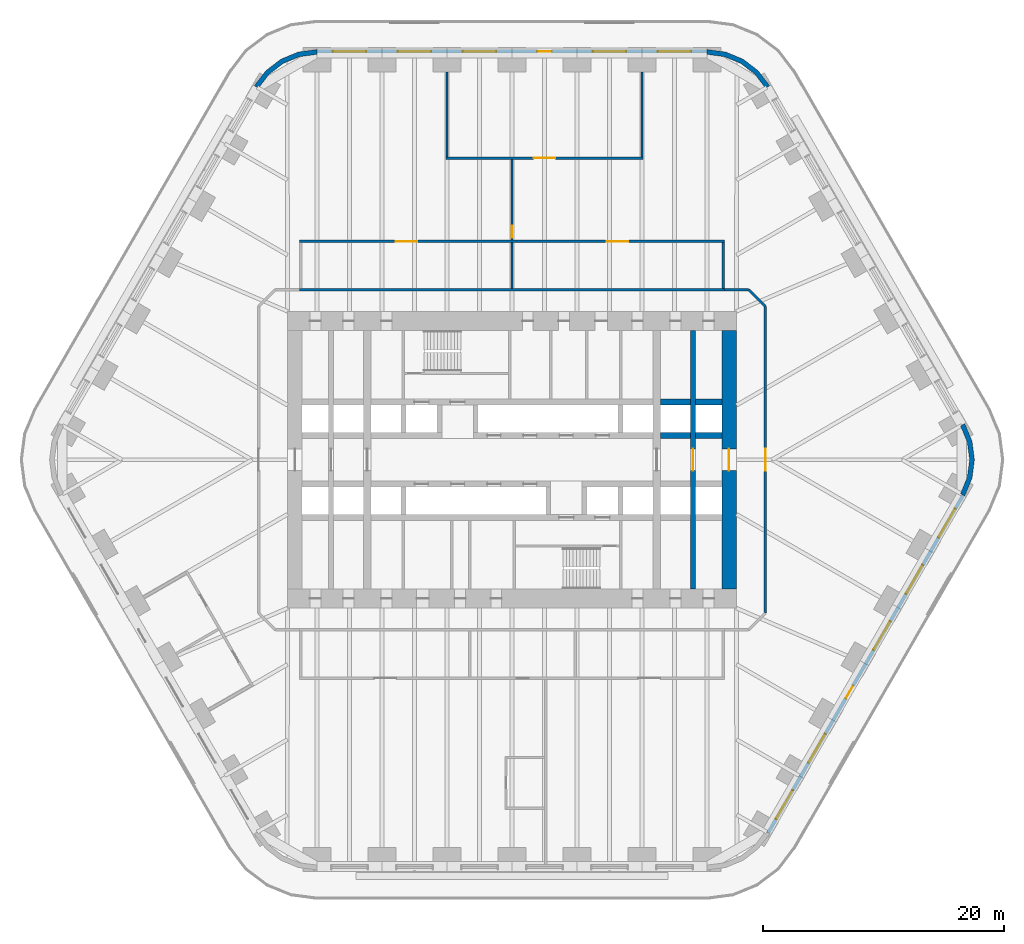
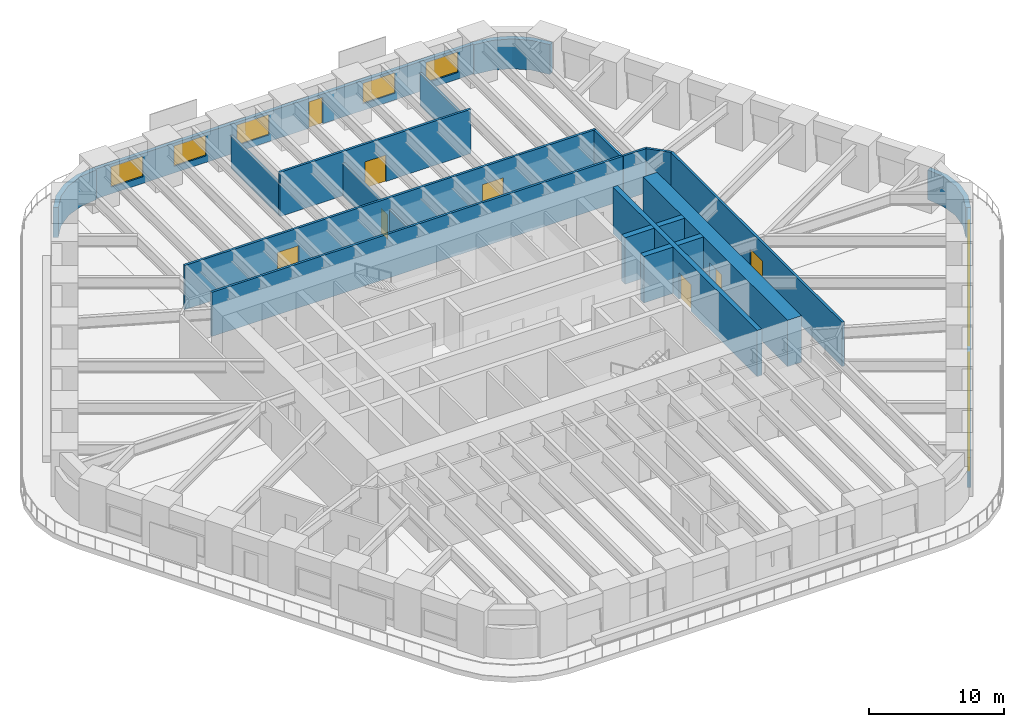
# One storey, part 19 of 23: 22 walls, 10 windows, 9 doors, 19 openings.
"""IFC4 building model written with IfcOpenShell, lengths in metres."""

from ifc_helpers import new_model, si_unit, direction, frame, frame_2d, origin, place, context, subcontext, project, spatial, polyline, rectangle, outline, extrude, material, layer, layer_set, type_object, element, fill, save


model = new_model("IFC4")

# Units and contexts
model_context = context("Model", 3, precision=1e-05, world=origin(), true_north=direction((0.0, 1.0)))
body_context = subcontext(model_context, "Body", "Model", "MODEL_VIEW")
ifc_project = project(units=[si_unit("LENGTHUNIT", "METRE"), si_unit("AREAUNIT", "SQUARE_METRE"), si_unit("VOLUMEUNIT", "CUBIC_METRE"), si_unit("PLANEANGLEUNIT", "RADIAN"), si_unit("MASSUNIT", "GRAM", prefix="KILO")], contexts=[model_context])

# Site, building, storey
site_placement = place(None, origin())
site = spatial("IfcSite", under=ifc_project, at=site_placement, CompositionType="ELEMENT")
building_placement = place(site_placement, origin())
building = spatial("IfcBuilding", under=site, at=building_placement, Name="Tarfa Lantern Tower", CompositionType="ELEMENT")
storey_placement = place(building_placement, frame((0.0, 0.0, 27.699951171875)))
storey = spatial("IfcBuildingStorey", under=building, at=storey_placement, Name="L05", CompositionType="ELEMENT", Elevation=27.699951171875)

# Wall, openings, door, windows
ifc_material_1 = material(Name="Limestone cladding on blockwork", Category="masonry")
ifc_layer_1 = layer(ifc_material_1, 0.300048828125)
ifc_layer_set_1 = layer_set([ifc_layer_1], Name="EW1 STONE-CLAD WALL 300")
wall_type_1 = type_object("IfcWallType", Name="EW1 STONE-CLAD WALL 300", PredefinedType="SOLIDWALL", material=ifc_layer_set_1)
wall_1_placement = place(storey_placement, frame((16.165771484375, 33.85009765625, 0.0), z_axis=(0.0, 0.0, 1.0), x_axis=(-1.0, 0.0, 0.0)))
wall_1 = element("IfcWall", 1, at=wall_1_placement, inside=storey, type_object=wall_type_1, Name="Stone wall N", PredefinedType="SOLIDWALL", context=body_context, shape_type="SweptSolid", body=[
    extrude(rectangle(XDim=32.33154296875, YDim=0.300048828125, at=frame_2d((16.165771484375, 0.0))), origin(), (0.0, 0.0, 1.0), 2.699951171875),
])
opening_1_placement = place(wall_1_placement, frame((1.3193359375, 0.0, 0.60009765625)))
opening_1 = element("IfcOpeningElement", 2, at=opening_1_placement, cuts=wall_1, Name="Opening W2", PredefinedType="OPENING", context=body_context, shape_type="SweptSolid", body=[
    extrude(rectangle(XDim=2.75, YDim=1.85009765625, at=frame_2d((1.375, 0.925048828125))), frame((0.0, 0.159912109375, 0.0), z_axis=(0.0, -1.0, 0.0), x_axis=(1.0, 0.0, 0.0)), (0.0, 0.0, 1.0), 0.320068359375),
])
opening_2_placement = place(wall_1_placement, frame((6.7080078125, 0.0, 0.60009765625)))
opening_2 = element("IfcOpeningElement", 3, at=opening_2_placement, cuts=wall_1, Name="Opening W2", PredefinedType="OPENING", context=body_context, shape_type="SweptSolid", body=[
    extrude(rectangle(XDim=2.75, YDim=1.85009765625, at=frame_2d((1.375, 0.925048828125))), frame((0.0, 0.159912109375, 0.0), z_axis=(0.0, -1.0, 0.0), x_axis=(1.0, 0.0, 0.0)), (0.0, 0.0, 1.0), 0.320068359375),
])
opening_3_placement = place(wall_1_placement, frame((12.87158203125, 0.0, 0.0)))
opening_3 = element("IfcOpeningElement", 4, at=opening_3_placement, cuts=wall_1, Name="Opening D41", PredefinedType="OPENING", context=body_context, shape_type="SweptSolid", body=[
    extrude(rectangle(XDim=1.199951171875, YDim=2.39990234375, at=frame_2d((0.60009765625, 1.199951171875))), frame((0.0, 0.159912109375, 0.0), z_axis=(0.0, -1.0, 0.0), x_axis=(1.0, 0.0, 0.0)), (0.0, 0.0, 1.0), 0.320068359375),
])
opening_4_placement = place(wall_1_placement, frame((17.485107421875, 0.0, 0.60009765625)))
opening_4 = element("IfcOpeningElement", 5, at=opening_4_placement, cuts=wall_1, Name="Opening W2", PredefinedType="OPENING", context=body_context, shape_type="SweptSolid", body=[
    extrude(rectangle(XDim=2.75, YDim=1.85009765625, at=frame_2d((1.375, 0.925048828125))), frame((0.0, 0.159912109375, 0.0), z_axis=(0.0, -1.0, 0.0), x_axis=(1.0, 0.0, 0.0)), (0.0, 0.0, 1.0), 0.320068359375),
])
opening_5_placement = place(wall_1_placement, frame((22.873779296875, 0.0, 0.60009765625)))
opening_5 = element("IfcOpeningElement", 6, at=opening_5_placement, cuts=wall_1, Name="Opening W2", PredefinedType="OPENING", context=body_context, shape_type="SweptSolid", body=[
    extrude(rectangle(XDim=2.75, YDim=1.85009765625, at=frame_2d((1.375, 0.925048828125))), frame((0.0, 0.159912109375, 0.0), z_axis=(0.0, -1.0, 0.0), x_axis=(1.0, 0.0, 0.0)), (0.0, 0.0, 1.0), 0.320068359375),
])
opening_6_placement = place(wall_1_placement, frame((28.26220703125, 0.0, 0.60009765625)))
opening_6 = element("IfcOpeningElement", 7, at=opening_6_placement, cuts=wall_1, Name="Opening W2", PredefinedType="OPENING", context=body_context, shape_type="SweptSolid", body=[
    extrude(rectangle(XDim=2.75, YDim=1.85009765625, at=frame_2d((1.375, 0.925048828125))), frame((0.0, 0.159912109375, 0.0), z_axis=(0.0, -1.0, 0.0), x_axis=(1.0, 0.0, 0.0)), (0.0, 0.0, 1.0), 0.320068359375),
])
ifc_material_2 = material(Name="Aluminium framed glazed door", Category="aluminium")
door_type_1 = type_object("IfcDoorType", Name="BE3 BALCONY DOOR 1200x2400", OperationType="SINGLE_SWING_RIGHT", PredefinedType="DOOR", material=ifc_material_2)
door_1_placement = place(opening_3_placement, origin())
door_1 = element("IfcDoor", 8, at=door_1_placement, inside=storey, type_object=door_type_1, Name="Balcony door N", OperationType="SINGLE_SWING_RIGHT", OverallHeight=2.39990234375, OverallWidth=1.199951171875, PredefinedType="DOOR", context=body_context, shape_type="SweptSolid", body=[
    extrude(rectangle(XDim=1.199951171875, YDim=2.39990234375, at=frame_2d((0.60009765625, 1.199951171875))), frame((0.0, 0.02490234375, 0.0), z_axis=(0.0, -1.0, 0.0), x_axis=(1.0, 0.0, 0.0)), (0.0, 0.0, 1.0), 0.050048828125),
])
fill(opening_3, door_1)
ifc_material_3 = material(Name="Aluminium frame, double glazed", Category="aluminium")
window_type = type_object("IfcWindowType", Name="W2 FULL-HEIGHT GLAZING 2750x1850", PartitioningType="SINGLE_PANEL", PredefinedType="WINDOW", material=ifc_material_3)
window_1_placement = place(opening_1_placement, origin())
window_1 = element("IfcWindow", 9, at=window_1_placement, inside=storey, type_object=window_type, Name="Window N 1", OverallHeight=1.85009765625, OverallWidth=2.75, PartitioningType="SINGLE_PANEL", PredefinedType="WINDOW", context=body_context, shape_type="SweptSolid", body=[
    extrude(rectangle(XDim=2.75, YDim=1.85009765625, at=frame_2d((1.375, 0.925048828125))), frame((0.0, 0.030029296875, 0.0), z_axis=(0.0, -1.0, 0.0), x_axis=(1.0, 0.0, 0.0)), (0.0, 0.0, 1.0), 0.06005859375),
])
fill(opening_1, window_1)
window_2_placement = place(opening_2_placement, origin())
window_2 = element("IfcWindow", 10, at=window_2_placement, inside=storey, type_object=window_type, Name="Window N 2", OverallHeight=1.85009765625, OverallWidth=2.75, PartitioningType="SINGLE_PANEL", PredefinedType="WINDOW", context=body_context, shape_type="SweptSolid", body=[
    extrude(rectangle(XDim=2.75, YDim=1.85009765625, at=frame_2d((1.375, 0.925048828125))), frame((0.0, 0.030029296875, 0.0), z_axis=(0.0, -1.0, 0.0), x_axis=(1.0, 0.0, 0.0)), (0.0, 0.0, 1.0), 0.06005859375),
])
fill(opening_2, window_2)
window_3_placement = place(opening_4_placement, origin())
window_3 = element("IfcWindow", 11, at=window_3_placement, inside=storey, type_object=window_type, Name="Window N 4", OverallHeight=1.85009765625, OverallWidth=2.75, PartitioningType="SINGLE_PANEL", PredefinedType="WINDOW", context=body_context, shape_type="SweptSolid", body=[
    extrude(rectangle(XDim=2.75, YDim=1.85009765625, at=frame_2d((1.375, 0.925048828125))), frame((0.0, 0.030029296875, 0.0), z_axis=(0.0, -1.0, 0.0), x_axis=(1.0, 0.0, 0.0)), (0.0, 0.0, 1.0), 0.06005859375),
])
fill(opening_4, window_3)
window_4_placement = place(opening_5_placement, origin())
window_4 = element("IfcWindow", 12, at=window_4_placement, inside=storey, type_object=window_type, Name="Window N 5", OverallHeight=1.85009765625, OverallWidth=2.75, PartitioningType="SINGLE_PANEL", PredefinedType="WINDOW", context=body_context, shape_type="SweptSolid", body=[
    extrude(rectangle(XDim=2.75, YDim=1.85009765625, at=frame_2d((1.375, 0.925048828125))), frame((0.0, 0.030029296875, 0.0), z_axis=(0.0, -1.0, 0.0), x_axis=(1.0, 0.0, 0.0)), (0.0, 0.0, 1.0), 0.06005859375),
])
fill(opening_5, window_4)
window_5_placement = place(opening_6_placement, origin())
window_5 = element("IfcWindow", 13, at=window_5_placement, inside=storey, type_object=window_type, Name="Window N 6", OverallHeight=1.85009765625, OverallWidth=2.75, PartitioningType="SINGLE_PANEL", PredefinedType="WINDOW", context=body_context, shape_type="SweptSolid", body=[
    extrude(rectangle(XDim=2.75, YDim=1.85009765625, at=frame_2d((1.375, 0.925048828125))), frame((0.0, 0.030029296875, 0.0), z_axis=(0.0, -1.0, 0.0), x_axis=(1.0, 0.0, 0.0)), (0.0, 0.0, 1.0), 0.06005859375),
])
fill(opening_6, window_5)

wall_2_placement = place(storey_placement, frame((21.232177734375, -30.925048828125, 0.0), z_axis=(0.0, 0.0, 1.0), x_axis=(0.499999163675, 0.866025886636, 0.0)))
wall_2 = element("IfcWall", 14, at=wall_2_placement, inside=storey, type_object=wall_type_1, Name="Stone wall SE", PredefinedType="SOLIDWALL", context=body_context, shape_type="SweptSolid", body=[
    extrude(rectangle(XDim=32.33154296875, YDim=0.300048828125, at=frame_2d((16.165771484375, 0.0))), origin(), (0.0, 0.0, 1.0), 2.699951171875),
])
opening_7_placement = place(wall_2_placement, frame((1.3193359375, 0.0, 0.60009765625)))
opening_7 = element("IfcOpeningElement", 15, at=opening_7_placement, cuts=wall_2, Name="Opening W2", PredefinedType="OPENING", context=body_context, shape_type="SweptSolid", body=[
    extrude(rectangle(XDim=2.75, YDim=1.85009765625, at=frame_2d((1.375, 0.925048828125))), frame((0.0, 0.159912109375, 0.0), z_axis=(0.0, -1.0, 0.0), x_axis=(1.0, 0.0, 0.0)), (0.0, 0.0, 1.0), 0.320068359375),
])
opening_8_placement = place(wall_2_placement, frame((6.7080078125, 0.0, 0.60009765625)))
opening_8 = element("IfcOpeningElement", 16, at=opening_8_placement, cuts=wall_2, Name="Opening W2", PredefinedType="OPENING", context=body_context, shape_type="SweptSolid", body=[
    extrude(rectangle(XDim=2.75, YDim=1.85009765625, at=frame_2d((1.375, 0.925048828125))), frame((0.0, 0.159912109375, 0.0), z_axis=(0.0, -1.0, 0.0), x_axis=(1.0, 0.0, 0.0)), (0.0, 0.0, 1.0), 0.320068359375),
])
opening_9_placement = place(wall_2_placement, frame((12.87158203125, 0.0, 0.0)))
opening_9 = element("IfcOpeningElement", 17, at=opening_9_placement, cuts=wall_2, Name="Opening D42", PredefinedType="OPENING", context=body_context, shape_type="SweptSolid", body=[
    extrude(rectangle(XDim=1.199951171875, YDim=2.39990234375, at=frame_2d((0.60009765625, 1.199951171875))), frame((0.0, 0.159912109375, 0.0), z_axis=(0.0, -1.0, 0.0), x_axis=(1.0, 0.0, 0.0)), (0.0, 0.0, 1.0), 0.320068359375),
])
opening_10_placement = place(wall_2_placement, frame((17.485107421875, 0.0, 0.60009765625)))
opening_10 = element("IfcOpeningElement", 18, at=opening_10_placement, cuts=wall_2, Name="Opening W2", PredefinedType="OPENING", context=body_context, shape_type="SweptSolid", body=[
    extrude(rectangle(XDim=2.75, YDim=1.85009765625, at=frame_2d((1.375, 0.925048828125))), frame((0.0, 0.159912109375, 0.0), z_axis=(0.0, -1.0, 0.0), x_axis=(1.0, 0.0, 0.0)), (0.0, 0.0, 1.0), 0.320068359375),
])
opening_11_placement = place(wall_2_placement, frame((22.873779296875, 0.0, 0.60009765625)))
opening_11 = element("IfcOpeningElement", 19, at=opening_11_placement, cuts=wall_2, Name="Opening W2", PredefinedType="OPENING", context=body_context, shape_type="SweptSolid", body=[
    extrude(rectangle(XDim=2.75, YDim=1.85009765625, at=frame_2d((1.375, 0.925048828125))), frame((0.0, 0.159912109375, 0.0), z_axis=(0.0, -1.0, 0.0), x_axis=(1.0, 0.0, 0.0)), (0.0, 0.0, 1.0), 0.320068359375),
])
opening_12_placement = place(wall_2_placement, frame((28.26220703125, 0.0, 0.60009765625)))
opening_12 = element("IfcOpeningElement", 20, at=opening_12_placement, cuts=wall_2, Name="Opening W2", PredefinedType="OPENING", context=body_context, shape_type="SweptSolid", body=[
    extrude(rectangle(XDim=2.75, YDim=1.85009765625, at=frame_2d((1.375, 0.925048828125))), frame((0.0, 0.159912109375, 0.0), z_axis=(0.0, -1.0, 0.0), x_axis=(1.0, 0.0, 0.0)), (0.0, 0.0, 1.0), 0.320068359375),
])
door_2_placement = place(opening_9_placement, origin())
door_2 = element("IfcDoor", 21, at=door_2_placement, inside=storey, type_object=door_type_1, Name="Balcony door SE", OperationType="SINGLE_SWING_RIGHT", OverallHeight=2.39990234375, OverallWidth=1.199951171875, PredefinedType="DOOR", context=body_context, shape_type="SweptSolid", body=[
    extrude(rectangle(XDim=1.199951171875, YDim=2.39990234375, at=frame_2d((0.60009765625, 1.199951171875))), frame((0.0, 0.02490234375, 0.0), z_axis=(0.0, -1.0, 0.0), x_axis=(1.0, 0.0, 0.0)), (0.0, 0.0, 1.0), 0.050048828125),
])
fill(opening_9, door_2)
window_6_placement = place(opening_7_placement, origin())
window_6 = element("IfcWindow", 22, at=window_6_placement, inside=storey, type_object=window_type, Name="Window SE 1", OverallHeight=1.85009765625, OverallWidth=2.75, PartitioningType="SINGLE_PANEL", PredefinedType="WINDOW", context=body_context, shape_type="SweptSolid", body=[
    extrude(rectangle(XDim=2.75, YDim=1.85009765625, at=frame_2d((1.375, 0.925048828125))), frame((0.0, 0.030029296875, 0.0), z_axis=(0.0, -1.0, 0.0), x_axis=(1.0, 0.0, 0.0)), (0.0, 0.0, 1.0), 0.06005859375),
])
fill(opening_7, window_6)
window_7_placement = place(opening_8_placement, origin())
window_7 = element("IfcWindow", 23, at=window_7_placement, inside=storey, type_object=window_type, Name="Window SE 2", OverallHeight=1.85009765625, OverallWidth=2.75, PartitioningType="SINGLE_PANEL", PredefinedType="WINDOW", context=body_context, shape_type="SweptSolid", body=[
    extrude(rectangle(XDim=2.75, YDim=1.85009765625, at=frame_2d((1.375, 0.925048828125))), frame((0.0, 0.030029296875, 0.0), z_axis=(0.0, -1.0, 0.0), x_axis=(1.0, 0.0, 0.0)), (0.0, 0.0, 1.0), 0.06005859375),
])
fill(opening_8, window_7)
window_8_placement = place(opening_10_placement, origin())
window_8 = element("IfcWindow", 24, at=window_8_placement, inside=storey, type_object=window_type, Name="Window SE 4", OverallHeight=1.85009765625, OverallWidth=2.75, PartitioningType="SINGLE_PANEL", PredefinedType="WINDOW", context=body_context, shape_type="SweptSolid", body=[
    extrude(rectangle(XDim=2.75, YDim=1.85009765625, at=frame_2d((1.375, 0.925048828125))), frame((0.0, 0.030029296875, 0.0), z_axis=(0.0, -1.0, 0.0), x_axis=(1.0, 0.0, 0.0)), (0.0, 0.0, 1.0), 0.06005859375),
])
fill(opening_10, window_8)
window_9_placement = place(opening_11_placement, origin())
window_9 = element("IfcWindow", 25, at=window_9_placement, inside=storey, type_object=window_type, Name="Window SE 5", OverallHeight=1.85009765625, OverallWidth=2.75, PartitioningType="SINGLE_PANEL", PredefinedType="WINDOW", context=body_context, shape_type="SweptSolid", body=[
    extrude(rectangle(XDim=2.75, YDim=1.85009765625, at=frame_2d((1.375, 0.925048828125))), frame((0.0, 0.030029296875, 0.0), z_axis=(0.0, -1.0, 0.0), x_axis=(1.0, 0.0, 0.0)), (0.0, 0.0, 1.0), 0.06005859375),
])
fill(opening_11, window_9)
window_10_placement = place(opening_12_placement, origin())
window_10 = element("IfcWindow", 26, at=window_10_placement, inside=storey, type_object=window_type, Name="Window SE 6", OverallHeight=1.85009765625, OverallWidth=2.75, PartitioningType="SINGLE_PANEL", PredefinedType="WINDOW", context=body_context, shape_type="SweptSolid", body=[
    extrude(rectangle(XDim=2.75, YDim=1.85009765625, at=frame_2d((1.375, 0.925048828125))), frame((0.0, 0.030029296875, 0.0), z_axis=(0.0, -1.0, 0.0), x_axis=(1.0, 0.0, 0.0)), (0.0, 0.0, 1.0), 0.06005859375),
])
fill(opening_12, window_10)

# Walls
ifc_layer_2 = layer(ifc_material_1, 0.39990234375)
ifc_layer_set_2 = layer_set([ifc_layer_2], Name="EW2 CURVED STONE CORNER 400")
wall_type_2 = type_object("IfcWallType", Name="EW2 CURVED STONE CORNER 400", PredefinedType="SOLIDWALL", material=ifc_layer_set_2)
wall_3_placement = place(storey_placement, origin())
element("IfcWall", 27, at=wall_3_placement, inside=storey, type_object=wall_type_2, Name="Stone corner NE-N", PredefinedType="SOLIDWALL", context=body_context, shape_type="SweptSolid", body=[
    extrude(outline(polyline([(21.362060546875, 31.0), (20.408447265625, 32.24267578125), (19.165771484375, 33.196044921875), (17.71875, 33.795654296875), (16.165771484375, 34.0), (16.165771484375, 33.60009765625), (17.615234375, 33.4091796875), (18.9658203125, 32.849853515625), (20.12548828125, 31.959716796875), (21.015625, 30.800048828125), (21.362060546875, 31.0)])), origin(), (0.0, 0.0, 1.0), 2.699951171875),
])
wall_4_placement = place(storey_placement, origin())
element("IfcWall", 28, at=wall_4_placement, inside=storey, type_object=wall_type_2, Name="Stone corner N-NW", PredefinedType="SOLIDWALL", context=body_context, shape_type="SweptSolid", body=[
    extrude(outline(polyline([(-16.165771484375, 34.0), (-17.71875, 33.795654296875), (-19.165771484375, 33.196044921875), (-20.408447265625, 32.24267578125), (-21.362060546875, 31.0), (-21.015625, 30.800048828125), (-20.12548828125, 31.959716796875), (-18.9658203125, 32.849853515625), (-17.615234375, 33.4091796875), (-16.165771484375, 33.60009765625), (-16.165771484375, 34.0)])), origin(), (0.0, 0.0, 1.0), 2.699951171875),
])
wall_5_placement = place(storey_placement, origin())
element("IfcWall", 29, at=wall_5_placement, inside=storey, type_object=wall_type_2, Name="Stone corner SE-NE", PredefinedType="SOLIDWALL", context=body_context, shape_type="SweptSolid", body=[
    extrude(outline(polyline([(37.52783203125, -3.0), (38.127197265625, -1.552978515625), (38.33154296875, 0.0), (38.127197265625, 1.552978515625), (37.52783203125, 3.0), (37.181396484375, 2.800048828125), (37.74072265625, 1.449462890625), (37.931640625, 0.0), (37.74072265625, -1.449462890625), (37.181396484375, -2.800048828125), (37.52783203125, -3.0)])), origin(), (0.0, 0.0, 1.0), 2.699951171875),
])
ifc_material_4 = material(Name="Gypsum board on steel studs", Category="steel")
ifc_layer_3 = layer(ifc_material_4, 0.2099609375)
ifc_layer_set_3 = layer_set([ifc_layer_3], Name="IW2 ACOUSTIC PARTITION 200")
wall_type_3 = type_object("IfcWallType", Name="IW2 ACOUSTIC PARTITION 200", PredefinedType="PARTITIONING", material=ifc_layer_set_3)
wall_6_placement = place(storey_placement, frame((-17.60009765625, 14.10009765625, 0.0), z_axis=(0.0, 0.0, 1.0), x_axis=(1.0, 0.0, 0.0)))
element("IfcWall", 30, at=wall_6_placement, inside=storey, type_object=wall_type_3, Name="Partition", PredefinedType="PARTITIONING", context=body_context, shape_type="SweptSolid", body=[
    extrude(rectangle(XDim=35.2001953125, YDim=0.199951171875, at=frame_2d((17.60009765625, 0.0))), origin(), (0.0, 0.0, 1.0), 4.0),
])

# Wall, openings, doors
wall_7_placement = place(storey_placement, frame((-17.60009765625, 18.10009765625, 0.0), z_axis=(0.0, 0.0, 1.0), x_axis=(1.0, 0.0, 0.0)))
wall_7 = element("IfcWall", 31, at=wall_7_placement, inside=storey, type_object=wall_type_3, Name="Partition", PredefinedType="PARTITIONING", context=body_context, shape_type="SweptSolid", body=[
    extrude(rectangle(XDim=35.2001953125, YDim=0.199951171875, at=frame_2d((17.60009765625, 0.0))), origin(), (0.0, 0.0, 1.0), 4.0),
])
opening_13_placement = place(wall_7_placement, frame((7.949951171875, 0.0, 0.0)))
opening_13 = element("IfcOpeningElement", 32, at=opening_13_placement, cuts=wall_7, Name="Opening D32", PredefinedType="OPENING", context=body_context, shape_type="SweptSolid", body=[
    extrude(rectangle(XDim=1.800048828125, YDim=2.39990234375, at=frame_2d((0.89990234375, 1.199951171875))), frame((0.0, 0.10986328125, 0.0), z_axis=(0.0, -1.0, 0.0), x_axis=(1.0, 0.0, 0.0)), (0.0, 0.0, 1.0), 0.219970703125),
])
opening_14_placement = place(wall_7_placement, frame((25.449951171875, 0.0, 0.0)))
opening_14 = element("IfcOpeningElement", 33, at=opening_14_placement, cuts=wall_7, Name="Opening D33", PredefinedType="OPENING", context=body_context, shape_type="SweptSolid", body=[
    extrude(rectangle(XDim=1.800048828125, YDim=2.39990234375, at=frame_2d((0.89990234375, 1.199951171875))), frame((0.0, 0.10986328125, 0.0), z_axis=(0.0, -1.0, 0.0), x_axis=(1.0, 0.0, 0.0)), (0.0, 0.0, 1.0), 0.219970703125),
])
ifc_material_5 = material(Name="Timber door", Category="wood")
door_type_2 = type_object("IfcDoorType", Name="DR2 ROOM DOOR 1800x2400", OperationType="DOUBLE_DOOR_SINGLE_SWING", PredefinedType="DOOR", material=ifc_material_5)
door_3_placement = place(opening_13_placement, frame((1.800048828125, 0.0, 0.0), z_axis=(0.0, 0.0, 1.0), x_axis=(-1.0, 0.0, 0.0)))
door_3 = element("IfcDoor", 34, at=door_3_placement, inside=storey, type_object=door_type_2, Name="Meeting room door", OperationType="DOUBLE_DOOR_SINGLE_SWING", OverallHeight=2.39990234375, OverallWidth=1.800048828125, PredefinedType="DOOR", context=body_context, shape_type="SweptSolid", body=[
    extrude(rectangle(XDim=1.800048828125, YDim=2.39990234375, at=frame_2d((0.89990234375, 1.199951171875))), frame((0.0, 0.02490234375, 0.0), z_axis=(0.0, -1.0, 0.0), x_axis=(1.0, 0.0, 0.0)), (0.0, 0.0, 1.0), 0.050048828125),
])
fill(opening_13, door_3)
door_4_placement = place(opening_14_placement, frame((1.800048828125, 0.0, 0.0), z_axis=(0.0, 0.0, 1.0), x_axis=(-1.0, 0.0, 0.0)))
door_4 = element("IfcDoor", 35, at=door_4_placement, inside=storey, type_object=door_type_2, Name="Shift office door", OperationType="DOUBLE_DOOR_SINGLE_SWING", OverallHeight=2.39990234375, OverallWidth=1.800048828125, PredefinedType="DOOR", context=body_context, shape_type="SweptSolid", body=[
    extrude(rectangle(XDim=1.800048828125, YDim=2.39990234375, at=frame_2d((0.89990234375, 1.199951171875))), frame((0.0, 0.02490234375, 0.0), z_axis=(0.0, -1.0, 0.0), x_axis=(1.0, 0.0, 0.0)), (0.0, 0.0, 1.0), 0.050048828125),
])
fill(opening_14, door_4)

# Walls
wall_8_placement = place(storey_placement, frame((0.0, 14.199951171875, 0.0), z_axis=(0.0, 0.0, 1.0), x_axis=(0.0, 1.0, 0.0)))
element("IfcWall", 36, at=wall_8_placement, inside=storey, type_object=wall_type_3, Name="Partition", PredefinedType="PARTITIONING", context=body_context, shape_type="SweptSolid", body=[
    extrude(rectangle(XDim=3.800048828125, YDim=0.199951171875, at=frame_2d((1.89990234375, 0.0))), origin(), (0.0, 0.0, 1.0), 2.944091796875),
])
wall_9_placement = place(storey_placement, frame((17.5, 14.199951171875, 0.0), z_axis=(0.0, 0.0, 1.0), x_axis=(0.0, 1.0, 0.0)))
element("IfcWall", 37, at=wall_9_placement, inside=storey, type_object=wall_type_3, Name="Partition", PredefinedType="PARTITIONING", context=body_context, shape_type="SweptSolid", body=[
    extrude(rectangle(XDim=3.800048828125, YDim=0.199951171875, at=frame_2d((1.89990234375, 0.0))), origin(), (0.0, 0.0, 1.0), 4.0),
])

# Wall, opening, door
wall_10_placement = place(storey_placement, frame((10.877197265625, 25.0, 0.0), z_axis=(0.0, 0.0, 1.0), x_axis=(-1.0, 0.0, 0.0)))
wall_10 = element("IfcWall", 38, at=wall_10_placement, inside=storey, type_object=wall_type_3, Name="Partition", PredefinedType="PARTITIONING", context=body_context, shape_type="SweptSolid", body=[
    extrude(rectangle(XDim=16.36572265625, YDim=0.199951171875, at=frame_2d((8.182861328125, 0.0))), origin(), (0.0, 0.0, 1.0), 4.0),
])
opening_15_placement = place(wall_10_placement, frame((7.282958984375, 0.0, 0.0)))
opening_15 = element("IfcOpeningElement", 39, at=opening_15_placement, cuts=wall_10, Name="Opening D29", PredefinedType="OPENING", context=body_context, shape_type="SweptSolid", body=[
    extrude(rectangle(XDim=1.800048828125, YDim=2.39990234375, at=frame_2d((0.89990234375, 1.199951171875))), frame((0.0, 0.10986328125, 0.0), z_axis=(0.0, -1.0, 0.0), x_axis=(1.0, 0.0, 0.0)), (0.0, 0.0, 1.0), 0.219970703125),
])
door_5_placement = place(opening_15_placement, frame((1.800048828125, 0.0, 0.0), z_axis=(0.0, 0.0, 1.0), x_axis=(-1.0, 0.0, 0.0)))
door_5 = element("IfcDoor", 40, at=door_5_placement, inside=storey, type_object=door_type_2, Name="Operations control room door", OperationType="DOUBLE_DOOR_SINGLE_SWING", OverallHeight=2.39990234375, OverallWidth=1.800048828125, PredefinedType="DOOR", context=body_context, shape_type="SweptSolid", body=[
    extrude(rectangle(XDim=1.800048828125, YDim=2.39990234375, at=frame_2d((0.89990234375, 1.199951171875))), frame((0.0, 0.02490234375, 0.0), z_axis=(0.0, -1.0, 0.0), x_axis=(1.0, 0.0, 0.0)), (0.0, 0.0, 1.0), 0.050048828125),
])
fill(opening_15, door_5)

# Walls
for number, where, z_axis, x_axis, name in (
    (41, (10.777099609375, 25.10009765625, 0.0), (0.0, 0.0, 1.0), (0.0, 1.0, 0.0), "Partition"),
    (42, (-5.388671875, 25.10009765625, 0.0), (0.0, 0.0, 1.0), (0.0, 1.0, 0.0), "Partition"),
):
    element("IfcWall", number, at=place(storey_placement, frame(where, z_axis=z_axis, x_axis=x_axis)), inside=storey, type_object=wall_type_3, Name=name, PredefinedType="PARTITIONING", context=body_context, shape_type="SweptSolid", body=[
        extrude(rectangle(XDim=7.0498046875, YDim=0.199951171875, at=frame_2d((3.52490234375, 0.0))), origin(), (0.0, 0.0, 1.0), 2.944091796875),
    ])
wall_11_placement = place(storey_placement, frame((17.60009765625, 14.10009765625, 0.0), z_axis=(0.0, 0.0, 1.0), x_axis=(1.0, 0.0, 0.0)))
element("IfcWall", 43, at=wall_11_placement, inside=storey, type_object=wall_type_3, Name="Partition", PredefinedType="PARTITIONING", context=body_context, shape_type="SweptSolid", body=[
    extrude(rectangle(XDim=2.0, YDim=0.199951171875, at=frame_2d((1.0, 0.0))), origin(), (0.0, 0.0, 1.0), 4.0),
])
wall_12_placement = place(storey_placement, frame((19.60009765625, 14.10009765625, 0.0), z_axis=(0.0, 0.0, 1.0), x_axis=(0.707045124756, -0.707168432242, 0.0)))
element("IfcWall", 44, at=wall_12_placement, inside=storey, type_object=wall_type_3, Name="Partition", PredefinedType="PARTITIONING", context=body_context, shape_type="SweptSolid", body=[
    extrude(rectangle(XDim=1.97998046875, YDim=0.199951171875, at=frame_2d((0.989990234375, 0.0))), origin(), (0.0, 0.0, 1.0), 4.0),
])

# Wall, opening, door
wall_13_placement = place(storey_placement, frame((21.0, 12.699951171875, 0.0), z_axis=(0.0, 0.0, 1.0), x_axis=(0.0, -1.0, 0.0)))
wall_13 = element("IfcWall", 45, at=wall_13_placement, inside=storey, type_object=wall_type_3, Name="Partition", PredefinedType="PARTITIONING", context=body_context, shape_type="SweptSolid", body=[
    extrude(rectangle(XDim=25.39990234375, YDim=0.199951171875, at=frame_2d((12.699951171875, 0.0))), origin(), (0.0, 0.0, 1.0), 4.0),
])
opening_16_placement = place(wall_13_placement, frame((11.800048828125, 0.0, 0.0)))
opening_16 = element("IfcOpeningElement", 46, at=opening_16_placement, cuts=wall_13, Name="Opening D38", PredefinedType="OPENING", context=body_context, shape_type="SweptSolid", body=[
    extrude(rectangle(XDim=1.800048828125, YDim=2.39990234375, at=frame_2d((0.89990234375, 1.199951171875))), frame((0.0, 0.10986328125, 0.0), z_axis=(0.0, -1.0, 0.0), x_axis=(1.0, 0.0, 0.0)), (0.0, 0.0, 1.0), 0.219970703125),
])
door_6_placement = place(opening_16_placement, origin())
door_6 = element("IfcDoor", 47, at=door_6_placement, inside=storey, type_object=door_type_2, Name="Corridor door", OperationType="DOUBLE_DOOR_SINGLE_SWING", OverallHeight=2.39990234375, OverallWidth=1.800048828125, PredefinedType="DOOR", context=body_context, shape_type="SweptSolid", body=[
    extrude(rectangle(XDim=1.800048828125, YDim=2.39990234375, at=frame_2d((0.89990234375, 1.199951171875))), frame((0.0, 0.02490234375, 0.0), z_axis=(0.0, -1.0, 0.0), x_axis=(1.0, 0.0, 0.0)), (0.0, 0.0, 1.0), 0.050048828125),
])
fill(opening_16, door_6)

wall_14_placement = place(storey_placement, frame((0.0, 18.199951171875, 0.0), z_axis=(0.0, 0.0, 1.0), x_axis=(0.0, 1.0, 0.0)))
wall_14 = element("IfcWall", 48, at=wall_14_placement, inside=storey, type_object=wall_type_3, Name="Partition", PredefinedType="PARTITIONING", context=body_context, shape_type="SweptSolid", body=[
    extrude(rectangle(XDim=6.699951171875, YDim=0.199951171875, at=frame_2d((3.35009765625, 0.0))), origin(), (0.0, 0.0, 1.0), 2.944091796875),
])
opening_17_placement = place(wall_14_placement, frame((0.199951171875, 0.0, 0.0)))
opening_17 = element("IfcOpeningElement", 49, at=opening_17_placement, cuts=wall_14, Name="Opening D40", PredefinedType="OPENING", context=body_context, shape_type="SweptSolid", body=[
    extrude(rectangle(XDim=1.0, YDim=2.199951171875, at=frame_2d((0.5, 1.10009765625))), frame((0.0, 0.10986328125, 0.0), z_axis=(0.0, -1.0, 0.0), x_axis=(1.0, 0.0, 0.0)), (0.0, 0.0, 1.0), 0.219970703125),
])
door_type_3 = type_object("IfcDoorType", Name="DR1 ROOM DOOR 1000x2200", OperationType="SINGLE_SWING_LEFT", PredefinedType="DOOR", material=ifc_material_5)
door_7_placement = place(opening_17_placement, frame((1.0, 0.0, 0.0), z_axis=(0.0, 0.0, 1.0), x_axis=(-1.0, 0.0, 0.0)))
door_7 = element("IfcDoor", 50, at=door_7_placement, inside=storey, type_object=door_type_3, Name="Zone door", OperationType="SINGLE_SWING_LEFT", OverallHeight=2.199951171875, OverallWidth=1.0, PredefinedType="DOOR", context=body_context, shape_type="SweptSolid", body=[
    extrude(rectangle(XDim=1.0, YDim=2.199951171875, at=frame_2d((0.5, 1.10009765625))), frame((0.0, 0.02490234375, 0.0), z_axis=(0.0, -1.0, 0.0), x_axis=(1.0, 0.0, 0.0)), (0.0, 0.0, 1.0), 0.050048828125),
])
fill(opening_17, door_7)

ifc_material_6 = material(Name="Concrete C80/95", Category="concrete")
ifc_layer_4 = layer(ifc_material_6, 1.199951171875)
ifc_layer_set_4 = layer_set([ifc_layer_4], Name="SW1 CORE WALL 1200")
wall_type_4 = type_object("IfcWallType", Name="SW1 CORE WALL 1200", PredefinedType="SHEAR", material=ifc_layer_set_4)
wall_15_placement = place(storey_placement, frame((18.0, -10.699951171875, 0.0), z_axis=(0.0, 0.0, 1.0), x_axis=(0.0, 1.0, 0.0)))
wall_15 = element("IfcWall", 51, at=wall_15_placement, inside=storey, type_object=wall_type_4, Name="Core wall E", PredefinedType="SHEAR", context=body_context, shape_type="SweptSolid", body=[
    extrude(rectangle(XDim=21.39990234375, YDim=1.199951171875, at=frame_2d((10.699951171875, 0.0))), origin(), (0.0, 0.0, 1.0), 4.199951171875),
])
opening_18_placement = place(wall_15_placement, frame((9.800048828125, 0.0, 0.0)))
opening_18 = element("IfcOpeningElement", 52, at=opening_18_placement, cuts=wall_15, Name="Opening D15", PredefinedType="OPENING", context=body_context, shape_type="SweptSolid", body=[
    extrude(rectangle(XDim=1.800048828125, YDim=2.39990234375, at=frame_2d((0.89990234375, 1.199951171875))), frame((0.0, 0.60986328125, 0.0), z_axis=(0.0, -1.0, 0.0), x_axis=(1.0, 0.0, 0.0)), (0.0, 0.0, 1.0), 1.219970703125),
])
ifc_material_7 = material(Name="Steel fire door", Category="steel")
door_type_4 = type_object("IfcDoorType", Name="DL1 LOBBY DOOR 1800x2400", OperationType="DOUBLE_DOOR_SINGLE_SWING", PredefinedType="DOOR", material=ifc_material_7)
door_8_placement = place(opening_18_placement, frame((1.800048828125, 0.0, 0.0), z_axis=(0.0, 0.0, 1.0), x_axis=(-1.0, 0.0, 0.0)))
door_8 = element("IfcDoor", 53, at=door_8_placement, inside=storey, type_object=door_type_4, Name="Lift lobby door", OperationType="DOUBLE_DOOR_SINGLE_SWING", OverallHeight=2.39990234375, OverallWidth=1.800048828125, PredefinedType="DOOR", context=body_context, shape_type="SweptSolid", body=[
    extrude(rectangle(XDim=1.800048828125, YDim=2.39990234375, at=frame_2d((0.89990234375, 1.199951171875))), frame((0.0, 0.02490234375, 0.0), z_axis=(0.0, -1.0, 0.0), x_axis=(1.0, 0.0, 0.0)), (0.0, 0.0, 1.0), 0.050048828125),
])
fill(opening_18, door_8)

# Walls
ifc_layer_5 = layer(ifc_material_6, 0.5)
ifc_layer_set_5 = layer_set([ifc_layer_5], Name="SW5 CORE WALL 500")
wall_type_5 = type_object("IfcWallType", Name="SW5 CORE WALL 500", PredefinedType="SHEAR", material=ifc_layer_set_5)
wall_16_placement = place(storey_placement, frame((12.300048828125, 2.0, 0.0), z_axis=(0.0, 0.0, 1.0), x_axis=(1.0, 0.0, 0.0)))
element("IfcWall", 54, at=wall_16_placement, inside=storey, type_object=wall_type_5, Name="Core wall lobby east N", PredefinedType="SHEAR", context=body_context, shape_type="SweptSolid", body=[
    extrude(rectangle(XDim=2.5, YDim=0.5, at=frame_2d((1.25, 0.0))), origin(), (0.0, 0.0, 1.0), 4.199951171875),
])
wall_17_placement = place(storey_placement, frame((15.199951171875, 2.0, 0.0), z_axis=(0.0, 0.0, 1.0), x_axis=(1.0, 0.0, 0.0)))
element("IfcWall", 55, at=wall_17_placement, inside=storey, type_object=wall_type_5, Name="Core wall lobby east N", PredefinedType="SHEAR", context=body_context, shape_type="SweptSolid", body=[
    extrude(rectangle(XDim=2.199951171875, YDim=0.5, at=frame_2d((1.10009765625, 0.0))), origin(), (0.0, 0.0, 1.0), 4.199951171875),
])
wall_18_placement = place(storey_placement, frame((12.300048828125, 4.800048828125, 0.0), z_axis=(0.0, 0.0, 1.0), x_axis=(1.0, 0.0, 0.0)))
element("IfcWall", 56, at=wall_18_placement, inside=storey, type_object=wall_type_5, Name="Core wall rear N", PredefinedType="SHEAR", context=body_context, shape_type="SweptSolid", body=[
    extrude(rectangle(XDim=2.5, YDim=0.5, at=frame_2d((1.25, 0.0))), origin(), (0.0, 0.0, 1.0), 4.199951171875),
])
wall_19_placement = place(storey_placement, frame((15.199951171875, 4.800048828125, 0.0), z_axis=(0.0, 0.0, 1.0), x_axis=(1.0, 0.0, 0.0)))
element("IfcWall", 57, at=wall_19_placement, inside=storey, type_object=wall_type_5, Name="Core wall rear N", PredefinedType="SHEAR", context=body_context, shape_type="SweptSolid", body=[
    extrude(rectangle(XDim=2.199951171875, YDim=0.5, at=frame_2d((1.10009765625, 0.0))), origin(), (0.0, 0.0, 1.0), 4.199951171875),
])

# Wall, opening, door
ifc_layer_6 = layer(ifc_material_6, 0.39990234375)
ifc_layer_set_6 = layer_set([ifc_layer_6], Name="SW6 CORE WALL 400")
wall_type_6 = type_object("IfcWallType", Name="SW6 CORE WALL 400", PredefinedType="SHEAR", material=ifc_layer_set_6)
wall_20_placement = place(storey_placement, frame((15.0, -10.699951171875, 0.0), z_axis=(0.0, 0.0, 1.0), x_axis=(0.0, 1.0, 0.0)))
wall_20 = element("IfcWall", 58, at=wall_20_placement, inside=storey, type_object=wall_type_6, Name="Core wall cross 15 m east", PredefinedType="SHEAR", context=body_context, shape_type="SweptSolid", body=[
    extrude(rectangle(XDim=21.39990234375, YDim=0.39990234375, at=frame_2d((10.699951171875, 0.0))), origin(), (0.0, 0.0, 1.0), 4.199951171875),
])
opening_19_placement = place(wall_20_placement, frame((9.800048828125, 0.0, 0.0)))
opening_19 = element("IfcOpeningElement", 59, at=opening_19_placement, cuts=wall_20, Name="Opening D26", PredefinedType="OPENING", context=body_context, shape_type="SweptSolid", body=[
    extrude(rectangle(XDim=1.800048828125, YDim=2.39990234375, at=frame_2d((0.89990234375, 1.199951171875))), frame((0.0, 0.2099609375, 0.0), z_axis=(0.0, -1.0, 0.0), x_axis=(1.0, 0.0, 0.0)), (0.0, 0.0, 1.0), 0.419921875),
])
door_9_placement = place(opening_19_placement, origin())
door_9 = element("IfcDoor", 60, at=door_9_placement, inside=storey, type_object=door_type_4, Name="Lift lobby door", OperationType="DOUBLE_DOOR_SINGLE_SWING", OverallHeight=2.39990234375, OverallWidth=1.800048828125, PredefinedType="DOOR", context=body_context, shape_type="SweptSolid", body=[
    extrude(rectangle(XDim=1.800048828125, YDim=2.39990234375, at=frame_2d((0.89990234375, 1.199951171875))), frame((0.0, 0.02490234375, 0.0), z_axis=(0.0, -1.0, 0.0), x_axis=(1.0, 0.0, 0.0)), (0.0, 0.0, 1.0), 0.050048828125),
])
fill(opening_19, door_9)

save(model, "model.ifc")
